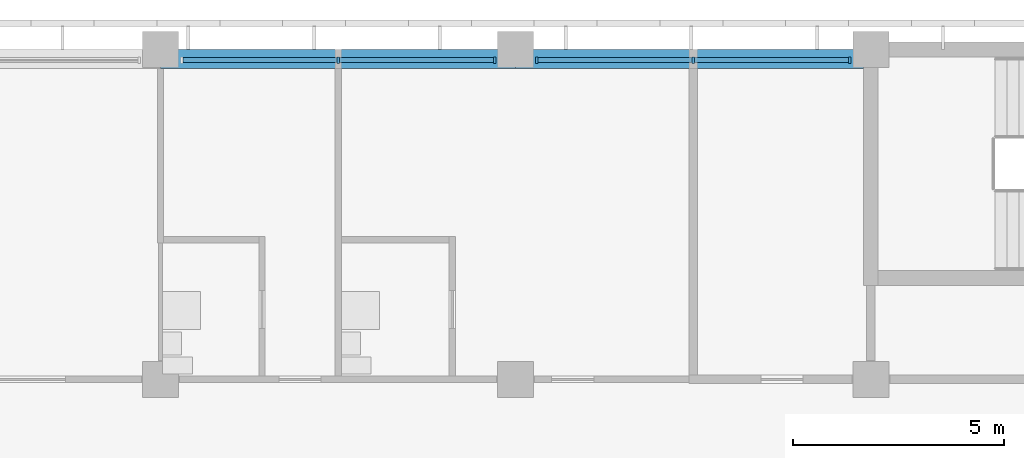
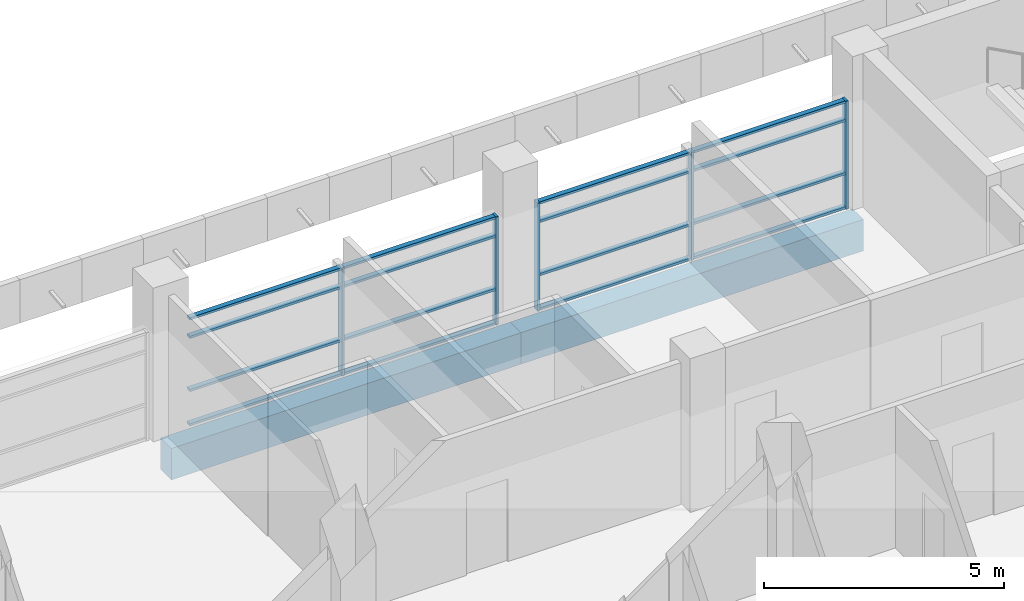
# One storey, part 19 of 74: 21 members, 2 beams, 2 elements without a shape of their own.
"""IFC4 building model written with IfcOpenShell, lengths in metres."""

from ifc_helpers import new_model, si_unit, direction, frame, origin, origin_2d, place, context, subcontext, project, spatial, rectangle, extrude, material, material_profile, profile_set, type_object, element, aggregate, save


model = new_model("IFC4")

# Units and contexts
model_context = context("Model", 3, precision=1e-05, world=origin(), true_north=direction((0.0, 1.0)))
body_context = subcontext(model_context, "Body", "Model", "MODEL_VIEW")
ifc_project = project(units=[si_unit("LENGTHUNIT", "METRE"), si_unit("AREAUNIT", "SQUARE_METRE"), si_unit("VOLUMEUNIT", "CUBIC_METRE"), si_unit("PLANEANGLEUNIT", "RADIAN"), si_unit("MASSUNIT", "GRAM", prefix="KILO")], contexts=[model_context])

# Site, building, storey
site_placement = place(None, origin())
site = spatial("IfcSite", under=ifc_project, at=site_placement, CompositionType="ELEMENT")
building_placement = place(site_placement, origin())
building = spatial("IfcBuilding", under=site, at=building_placement, Name="Bougainvillea Quay General Hospital", CompositionType="ELEMENT")
storey_placement = place(building_placement, frame((0.0, 0.0, 21.0)))
storey = spatial("IfcBuildingStorey", under=building, at=storey_placement, Name="L04", CompositionType="ELEMENT", Elevation=21.0)

# Curtain wall, members
ifc_material_1 = material(Name="Aluminium curtain wall system, powder-coated glazed", Category="aluminium")
curtain_wall_type = type_object("IfcCurtainWallType", Name="Unitised curtain wall CW-3730", PredefinedType="NOTDEFINED", material=ifc_material_1)
curtain_wall_1_placement = place(storey_placement, origin())
curtain_wall_1 = element("IfcCurtainWall", 1, at=curtain_wall_1_placement, inside=storey, type_object=curtain_wall_type, Name="CW-4200 00", PredefinedType="NOTDEFINED")
ifc_material_2 = material(Name="Aluminium mullion, powder-coated charcoal", Category="aluminium")
ifc_material_profile_1 = material_profile(ifc_material_2, rectangle(XDim=0.159912109375, YDim=0.06005859375, at=origin_2d()))
ifc_profile_set_1 = profile_set([ifc_material_profile_1], Name="Aluminium mullion, powder-coated charcoal")
member_type_1 = type_object("IfcMemberType", Name="Curtain wall mullion 160x60", PredefinedType="MULLION", material=ifc_profile_set_1)
member_1_placement = place(storey_placement, frame((175.89990234375, 159.35009765625, 0.0), z_axis=(0.0, 0.0, 1.0), x_axis=(0.0, -1.0, 0.0)))
member_1 = element("IfcMember", 2, at=member_1_placement, type_object=member_type_1, Name="CW-4200 mullion 1", PredefinedType="MULLION", context=body_context, shape_type="SweptSolid", body=[
    extrude(rectangle(XDim=0.159912109375, YDim=0.06005859375, at=origin_2d()), origin(), (0.0, 0.0, 1.0), 2.75),
])
member_2_placement = place(storey_placement, frame((172.199951171875, 159.35009765625, 0.0), z_axis=(0.0, 0.0, 1.0), x_axis=(0.0, -1.0, 0.0)))
member_2 = element("IfcMember", 3, at=member_2_placement, type_object=member_type_1, Name="CW-4200 mullion 2", PredefinedType="MULLION", context=body_context, shape_type="SweptSolid", body=[
    extrude(rectangle(XDim=0.159912109375, YDim=0.06005859375, at=origin_2d()), origin(), (0.0, 0.0, 1.0), 2.75),
])
member_3_placement = place(storey_placement, frame((168.5, 159.35009765625, 0.0), z_axis=(0.0, 0.0, 1.0), x_axis=(0.0, -1.0, 0.0)))
member_3 = element("IfcMember", 4, at=member_3_placement, type_object=member_type_1, Name="CW-4200 mullion 3", PredefinedType="MULLION", context=body_context, shape_type="SweptSolid", body=[
    extrude(rectangle(XDim=0.159912109375, YDim=0.06005859375, at=origin_2d()), origin(), (0.0, 0.0, 1.0), 2.75),
])

curtain_wall_2_placement = place(storey_placement, origin())
curtain_wall_2 = element("IfcCurtainWall", 5, at=curtain_wall_2_placement, inside=storey, type_object=curtain_wall_type, Name="CW-4200 01", PredefinedType="NOTDEFINED")
member_4_placement = place(storey_placement, frame((167.5, 159.35009765625, 0.0), z_axis=(0.0, 0.0, 1.0), x_axis=(0.0, -1.0, 0.0)))
member_4 = element("IfcMember", 6, at=member_4_placement, type_object=member_type_1, Name="CW-4200 mullion 1", PredefinedType="MULLION", context=body_context, shape_type="SweptSolid", body=[
    extrude(rectangle(XDim=0.159912109375, YDim=0.06005859375, at=origin_2d()), origin(), (0.0, 0.0, 1.0), 2.75),
])
member_5_placement = place(storey_placement, frame((163.800048828125, 159.35009765625, 0.0), z_axis=(0.0, 0.0, 1.0), x_axis=(0.0, -1.0, 0.0)))
member_5 = element("IfcMember", 7, at=member_5_placement, type_object=member_type_1, Name="CW-4200 mullion 2", PredefinedType="MULLION", context=body_context, shape_type="SweptSolid", body=[
    extrude(rectangle(XDim=0.159912109375, YDim=0.06005859375, at=origin_2d()), origin(), (0.0, 0.0, 1.0), 2.75),
])

# Member
ifc_material_3 = material(Name="Aluminium transom, powder-coated charcoal", Category="aluminium")
ifc_material_profile_2 = material_profile(ifc_material_3, rectangle(XDim=0.1201171875, YDim=0.06005859375, at=origin_2d()))
ifc_profile_set_2 = profile_set([ifc_material_profile_2], Name="Aluminium transom, powder-coated charcoal")
member_type_2 = type_object("IfcMemberType", Name="Curtain wall transom 120x60", PredefinedType="USERDEFINED", material=ifc_profile_set_2)
member_6_placement = place(storey_placement, frame((175.8701171875, 159.35009765625, 0.030029296875), z_axis=(-1.0, 0.0, 0.0), x_axis=(0.0, -1.0, 0.0)))
member_6 = element("IfcMember", 8, at=member_6_placement, type_object=member_type_2, Name="CW-4200 transom 1.1", ObjectType="TRANSOM", PredefinedType="USERDEFINED", context=body_context, shape_type="SweptSolid", body=[
    extrude(rectangle(XDim=0.1201171875, YDim=0.06005859375, at=origin_2d()), origin(), (0.0, 0.0, 1.0), 3.64013671875),
])

member_7_placement = place(storey_placement, frame((175.8701171875, 159.35009765625, 0.89990234375), z_axis=(-1.0, 0.0, 0.0), x_axis=(0.0, -1.0, 0.0)))
member_7 = element("IfcMember", 9, at=member_7_placement, type_object=member_type_2, Name="CW-4200 transom 1.2", ObjectType="TRANSOM", PredefinedType="USERDEFINED", context=body_context, shape_type="SweptSolid", body=[
    extrude(rectangle(XDim=0.1201171875, YDim=0.06005859375, at=origin_2d()), origin(), (0.0, 0.0, 1.0), 3.64013671875),
])

member_8_placement = place(storey_placement, frame((175.8701171875, 159.35009765625, 2.25), z_axis=(-1.0, 0.0, 0.0), x_axis=(0.0, -1.0, 0.0)))
member_8 = element("IfcMember", 10, at=member_8_placement, type_object=member_type_2, Name="CW-4200 transom 1.3", ObjectType="TRANSOM", PredefinedType="USERDEFINED", context=body_context, shape_type="SweptSolid", body=[
    extrude(rectangle(XDim=0.1201171875, YDim=0.06005859375, at=origin_2d()), origin(), (0.0, 0.0, 1.0), 3.64013671875),
])

member_9_placement = place(storey_placement, frame((175.8701171875, 159.35009765625, 2.719970703125), z_axis=(-1.0, 0.0, 0.0), x_axis=(0.0, -1.0, 0.0)))
member_9 = element("IfcMember", 11, at=member_9_placement, type_object=member_type_2, Name="CW-4200 transom 1.4", ObjectType="TRANSOM", PredefinedType="USERDEFINED", context=body_context, shape_type="SweptSolid", body=[
    extrude(rectangle(XDim=0.1201171875, YDim=0.06005859375, at=origin_2d()), origin(), (0.0, 0.0, 1.0), 3.64013671875),
])

member_10_placement = place(storey_placement, frame((172.169921875, 159.35009765625, 0.030029296875), z_axis=(-1.0, 0.0, 0.0), x_axis=(0.0, -1.0, 0.0)))
member_10 = element("IfcMember", 12, at=member_10_placement, type_object=member_type_2, Name="CW-4200 transom 2.1", ObjectType="TRANSOM", PredefinedType="USERDEFINED", context=body_context, shape_type="SweptSolid", body=[
    extrude(rectangle(XDim=0.1201171875, YDim=0.06005859375, at=origin_2d()), origin(), (0.0, 0.0, 1.0), 3.639892578125),
])

member_11_placement = place(storey_placement, frame((172.169921875, 159.35009765625, 0.89990234375), z_axis=(-1.0, 0.0, 0.0), x_axis=(0.0, -1.0, 0.0)))
member_11 = element("IfcMember", 13, at=member_11_placement, type_object=member_type_2, Name="CW-4200 transom 2.2", ObjectType="TRANSOM", PredefinedType="USERDEFINED", context=body_context, shape_type="SweptSolid", body=[
    extrude(rectangle(XDim=0.1201171875, YDim=0.06005859375, at=origin_2d()), origin(), (0.0, 0.0, 1.0), 3.639892578125),
])

member_12_placement = place(storey_placement, frame((172.169921875, 159.35009765625, 2.25), z_axis=(-1.0, 0.0, 0.0), x_axis=(0.0, -1.0, 0.0)))
member_12 = element("IfcMember", 14, at=member_12_placement, type_object=member_type_2, Name="CW-4200 transom 2.3", ObjectType="TRANSOM", PredefinedType="USERDEFINED", context=body_context, shape_type="SweptSolid", body=[
    extrude(rectangle(XDim=0.1201171875, YDim=0.06005859375, at=origin_2d()), origin(), (0.0, 0.0, 1.0), 3.639892578125),
])

member_13_placement = place(storey_placement, frame((172.169921875, 159.35009765625, 2.719970703125), z_axis=(-1.0, 0.0, 0.0), x_axis=(0.0, -1.0, 0.0)))
member_13 = element("IfcMember", 15, at=member_13_placement, type_object=member_type_2, Name="CW-4200 transom 2.4", ObjectType="TRANSOM", PredefinedType="USERDEFINED", context=body_context, shape_type="SweptSolid", body=[
    extrude(rectangle(XDim=0.1201171875, YDim=0.06005859375, at=origin_2d()), origin(), (0.0, 0.0, 1.0), 3.639892578125),
])

aggregate(curtain_wall_1, [member_1, member_2, member_3, member_6, member_7, member_8, member_9, member_10, member_11, member_12, member_13])

member_14_placement = place(storey_placement, frame((167.469970703125, 159.35009765625, 0.030029296875), z_axis=(-1.0, 0.0, 0.0), x_axis=(0.0, -1.0, 0.0)))
member_14 = element("IfcMember", 16, at=member_14_placement, type_object=member_type_2, Name="CW-4200 transom 1.1", ObjectType="TRANSOM", PredefinedType="USERDEFINED", context=body_context, shape_type="SweptSolid", body=[
    extrude(rectangle(XDim=0.1201171875, YDim=0.06005859375, at=origin_2d()), origin(), (0.0, 0.0, 1.0), 3.639892578125),
])

member_15_placement = place(storey_placement, frame((167.469970703125, 159.35009765625, 0.89990234375), z_axis=(-1.0, 0.0, 0.0), x_axis=(0.0, -1.0, 0.0)))
member_15 = element("IfcMember", 17, at=member_15_placement, type_object=member_type_2, Name="CW-4200 transom 1.2", ObjectType="TRANSOM", PredefinedType="USERDEFINED", context=body_context, shape_type="SweptSolid", body=[
    extrude(rectangle(XDim=0.1201171875, YDim=0.06005859375, at=origin_2d()), origin(), (0.0, 0.0, 1.0), 3.639892578125),
])

member_16_placement = place(storey_placement, frame((167.469970703125, 159.35009765625, 2.25), z_axis=(-1.0, 0.0, 0.0), x_axis=(0.0, -1.0, 0.0)))
member_16 = element("IfcMember", 18, at=member_16_placement, type_object=member_type_2, Name="CW-4200 transom 1.3", ObjectType="TRANSOM", PredefinedType="USERDEFINED", context=body_context, shape_type="SweptSolid", body=[
    extrude(rectangle(XDim=0.1201171875, YDim=0.06005859375, at=origin_2d()), origin(), (0.0, 0.0, 1.0), 3.639892578125),
])

member_17_placement = place(storey_placement, frame((167.469970703125, 159.35009765625, 2.719970703125), z_axis=(-1.0, 0.0, 0.0), x_axis=(0.0, -1.0, 0.0)))
member_17 = element("IfcMember", 19, at=member_17_placement, type_object=member_type_2, Name="CW-4200 transom 1.4", ObjectType="TRANSOM", PredefinedType="USERDEFINED", context=body_context, shape_type="SweptSolid", body=[
    extrude(rectangle(XDim=0.1201171875, YDim=0.06005859375, at=origin_2d()), origin(), (0.0, 0.0, 1.0), 3.639892578125),
])

member_18_placement = place(storey_placement, frame((163.77001953125, 159.35009765625, 0.030029296875), z_axis=(-1.0, 0.0, 0.0), x_axis=(0.0, -1.0, 0.0)))
member_18 = element("IfcMember", 20, at=member_18_placement, type_object=member_type_2, Name="CW-4200 transom 2.1", ObjectType="TRANSOM", PredefinedType="USERDEFINED", context=body_context, shape_type="SweptSolid", body=[
    extrude(rectangle(XDim=0.1201171875, YDim=0.06005859375, at=origin_2d()), origin(), (0.0, 0.0, 1.0), 3.64013671875),
])

member_19_placement = place(storey_placement, frame((163.77001953125, 159.35009765625, 0.89990234375), z_axis=(-1.0, 0.0, 0.0), x_axis=(0.0, -1.0, 0.0)))
member_19 = element("IfcMember", 21, at=member_19_placement, type_object=member_type_2, Name="CW-4200 transom 2.2", ObjectType="TRANSOM", PredefinedType="USERDEFINED", context=body_context, shape_type="SweptSolid", body=[
    extrude(rectangle(XDim=0.1201171875, YDim=0.06005859375, at=origin_2d()), origin(), (0.0, 0.0, 1.0), 3.64013671875),
])

member_20_placement = place(storey_placement, frame((163.77001953125, 159.35009765625, 2.25), z_axis=(-1.0, 0.0, 0.0), x_axis=(0.0, -1.0, 0.0)))
member_20 = element("IfcMember", 22, at=member_20_placement, type_object=member_type_2, Name="CW-4200 transom 2.3", ObjectType="TRANSOM", PredefinedType="USERDEFINED", context=body_context, shape_type="SweptSolid", body=[
    extrude(rectangle(XDim=0.1201171875, YDim=0.06005859375, at=origin_2d()), origin(), (0.0, 0.0, 1.0), 3.64013671875),
])

member_21_placement = place(storey_placement, frame((163.77001953125, 159.35009765625, 2.719970703125), z_axis=(-1.0, 0.0, 0.0), x_axis=(0.0, -1.0, 0.0)))
member_21 = element("IfcMember", 23, at=member_21_placement, type_object=member_type_2, Name="CW-4200 transom 2.4", ObjectType="TRANSOM", PredefinedType="USERDEFINED", context=body_context, shape_type="SweptSolid", body=[
    extrude(rectangle(XDim=0.1201171875, YDim=0.06005859375, at=origin_2d()), origin(), (0.0, 0.0, 1.0), 3.64013671875),
])

aggregate(curtain_wall_2, [member_4, member_5, member_14, member_15, member_16, member_17, member_18, member_19, member_20, member_21])

# Beams
ifc_material_4 = material(Name="Concrete C40", Category="concrete")
ifc_material_profile_3 = material_profile(ifc_material_4, rectangle(XDim=0.449951171875, YDim=0.800048828125, at=origin_2d()))
ifc_profile_set_3 = profile_set([ifc_material_profile_3], Name="Concrete C40")
beam_type = type_object("IfcBeamType", Name="RC BEAM 450x800 C40", PredefinedType="BEAM", material=ifc_profile_set_3)
beam_1_placement = place(storey_placement, frame((176.22509765625, 159.375, -0.699951171875), z_axis=(-1.0, 0.0, 0.0), x_axis=(0.0, -1.0, 0.0)))
element("IfcBeam", 24, at=beam_1_placement, inside=storey, type_object=beam_type, Name="Edge beam L04", PredefinedType="BEAM", context=body_context, shape_type="SweptSolid", body=[
    extrude(rectangle(XDim=0.449951171875, YDim=0.800048828125, at=origin_2d()), origin(), (0.0, 0.0, 1.0), 8.22509765625),
])
beam_2_placement = place(storey_placement, frame((168.0, 159.375, -0.699951171875), z_axis=(-1.0, 0.0, 0.0), x_axis=(0.0, -1.0, 0.0)))
element("IfcBeam", 25, at=beam_2_placement, inside=storey, type_object=beam_type, Name="Edge beam L04", PredefinedType="BEAM", context=body_context, shape_type="SweptSolid", body=[
    extrude(rectangle(XDim=0.449951171875, YDim=0.800048828125, at=origin_2d()), origin(), (0.0, 0.0, 1.0), 8.39990234375),
])

save(model, "model.ifc")
